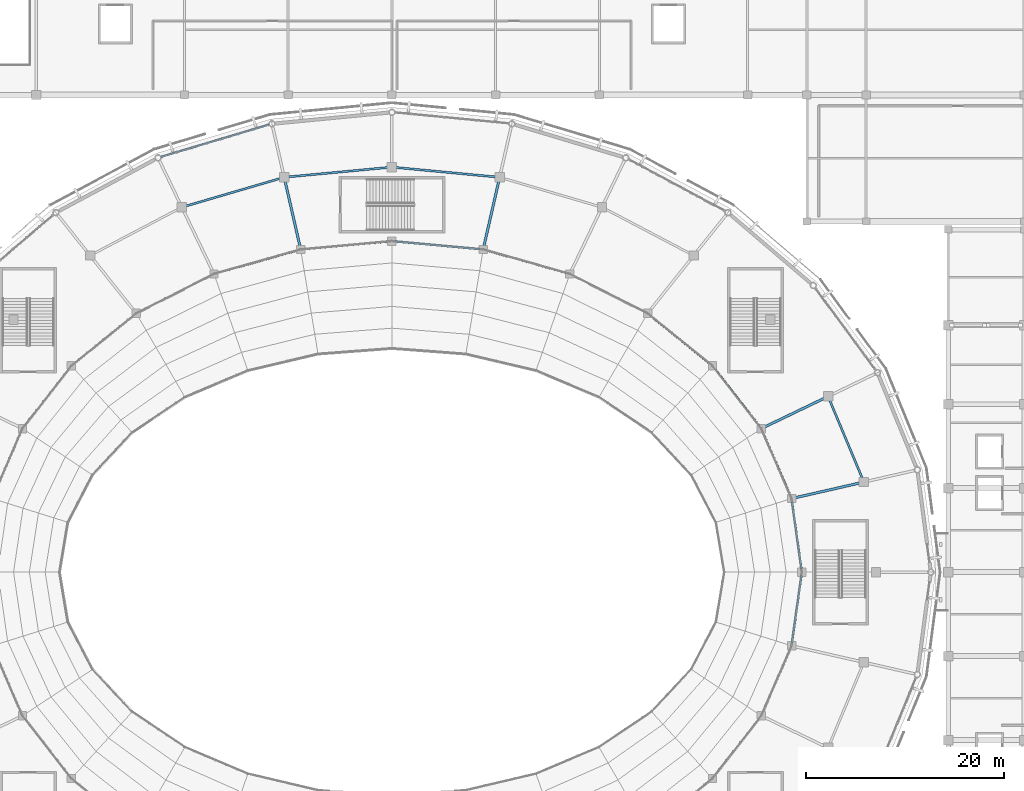
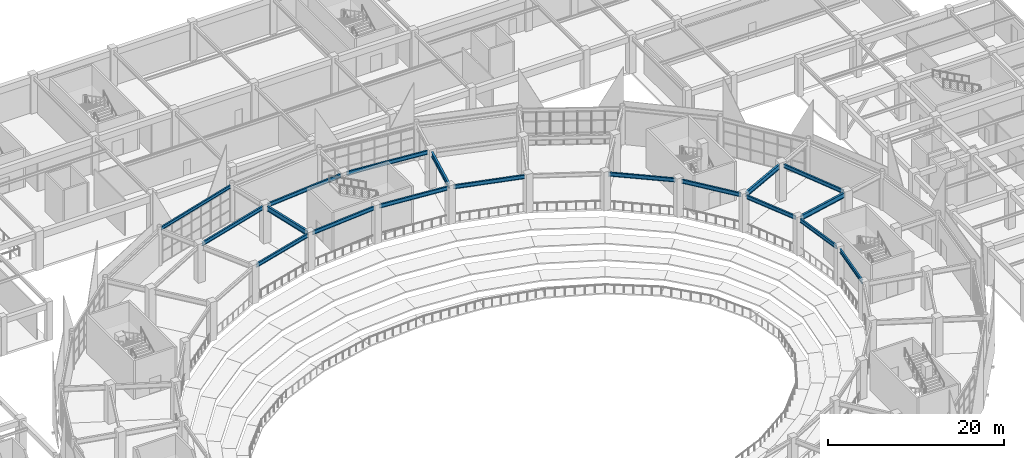
# One storey, part 40 of 120: 18 beams.
"""IFC4 building model written with IfcOpenShell, lengths in metres."""

from ifc_helpers import new_model, si_unit, direction, frame, origin, origin_2d, place, context, subcontext, project, spatial, i_section, extrude, material, material_profile, profile_set, type_object, element, save


model = new_model("IFC4")

# Units and contexts
model_context = context("Model", 3, precision=1e-05, world=origin(), true_north=direction((0.0, 1.0)))
body_context = subcontext(model_context, "Body", "Model", "MODEL_VIEW")
ifc_project = project(units=[si_unit("LENGTHUNIT", "METRE"), si_unit("AREAUNIT", "SQUARE_METRE"), si_unit("VOLUMEUNIT", "CUBIC_METRE"), si_unit("PLANEANGLEUNIT", "RADIAN"), si_unit("MASSUNIT", "GRAM", prefix="KILO")], contexts=[model_context])

# Site, building, storey
site_placement = place(None, origin())
site = spatial("IfcSite", under=ifc_project, at=site_placement, CompositionType="ELEMENT")
building_placement = place(site_placement, origin())
building = spatial("IfcBuilding", under=site, at=building_placement, Name="Cuetzalor Civic Arena", CompositionType="ELEMENT")
storey_placement = place(building_placement, frame((0.0, 0.0, 6.0)))
storey = spatial("IfcBuildingStorey", under=building, at=storey_placement, Name="L01", CompositionType="ELEMENT", Elevation=6.0)

# Beams
ifc_material_1 = material(Name="Steel S355", Category="steel")
ifc_material_profile_1 = material_profile(ifc_material_1, i_section(OverallWidth=0.18994140625, OverallDepth=0.45703125, WebThickness=0.009033203125, FlangeThickness=0.014404296875, at=origin_2d()), Name="W460x74")
ifc_profile_set_1 = profile_set([ifc_material_profile_1], Name="Steel S355")
beam_type_1 = type_object("IfcBeamType", Name="FacadeSpandrelBeam_W460", PredefinedType="SPANDREL", material=ifc_profile_set_1)
beam_1_placement = place(storey_placement, frame((-12.41650390625, 45.2998046875, 4.8916015625), z_axis=(-0.958199215373, -0.28610184141, 0.0), x_axis=(0.28610184141, -0.958199215373, 0.0)))
element("IfcBeam", 1, at=beam_1_placement, inside=storey, type_object=beam_type_1, Name="Drum Perimeter Spandrel L01-S09", PredefinedType="SPANDREL", context=body_context, shape_type="SweptSolid", body=[
    extrude(i_section(OverallWidth=0.18994140625, OverallDepth=0.45703125, WebThickness=0.009033203125, FlangeThickness=0.014404296875, at=origin_2d()), origin(), (0.0, 0.0, 1.0), 11.45263671875),
])
ifc_material_2 = material(Name="Steel S355", Category="steel")
ifc_material_profile_2 = material_profile(ifc_material_2, i_section(OverallWidth=0.208984375, OverallDepth=0.532958984375, WebThickness=0.01025390625, FlangeThickness=0.015625, at=origin_2d()), Name="W530x92")
ifc_profile_set_2 = profile_set([ifc_material_profile_2], Name="Steel S355")
beam_type_2 = type_object("IfcBeamType", Name="SteelCollarGirder_W530", PredefinedType="BEAM", material=ifc_profile_set_2)
beam_2_placement = place(storey_placement, frame((41.4501953125, 0.3564453125, 4.853515625), z_axis=(-0.138232032173, 0.990399871406, 0.0), x_axis=(-0.990399871406, -0.138232032173, 0.0)))
element("IfcBeam", 2, at=beam_2_placement, inside=storey, type_object=beam_type_2, Name="Bowl Inner Ring Girder L01-S01", PredefinedType="BEAM", context=body_context, shape_type="SweptSolid", body=[
    extrude(i_section(OverallWidth=0.208984375, OverallDepth=0.532958984375, WebThickness=0.01025390625, FlangeThickness=0.015625, at=origin_2d()), origin(), (0.0, 0.0, 1.0), 6.806884765625),
])
beam_3_placement = place(storey_placement, frame((47.628662109375, 9.46484375, 4.853515625), z_axis=(-0.385813116722, 0.922576955579, 0.0), x_axis=(-0.922576955579, -0.385813116722, 0.0)))
element("IfcBeam", 3, at=beam_3_placement, inside=storey, type_object=beam_type_2, Name="Drum Concourse Ring Girder L01-S02", PredefinedType="BEAM", context=body_context, shape_type="SweptSolid", body=[
    extrude(i_section(OverallWidth=0.208984375, OverallDepth=0.532958984375, WebThickness=0.01025390625, FlangeThickness=0.015625, at=origin_2d()), origin(), (0.0, 0.0, 1.0), 8.65283203125),
])
beam_4_placement = place(storey_placement, frame((40.31640625, 7.784912109375, 4.853515625), z_axis=(-0.39772689401, 0.917503851644, 0.0), x_axis=(-0.917503851644, -0.39772689401, 0.0)))
element("IfcBeam", 4, at=beam_4_placement, inside=storey, type_object=beam_type_2, Name="Bowl Inner Ring Girder L01-S02", PredefinedType="BEAM", context=body_context, shape_type="SweptSolid", body=[
    extrude(i_section(OverallWidth=0.208984375, OverallDepth=0.532958984375, WebThickness=0.01025390625, FlangeThickness=0.015625, at=origin_2d()), origin(), (0.0, 0.0, 1.0), 6.9970703125),
])
beam_5_placement = place(storey_placement, frame((37.169189453125, 14.819091796875, 4.853515625), z_axis=(-0.614261103096, 0.789102843249, 0.0), x_axis=(-0.789102843249, -0.614261103096, 0.0)))
element("IfcBeam", 5, at=beam_5_placement, inside=storey, type_object=beam_type_2, Name="Bowl Inner Ring Girder L01-S03", PredefinedType="BEAM", context=body_context, shape_type="SweptSolid", body=[
    extrude(i_section(OverallWidth=0.208984375, OverallDepth=0.532958984375, WebThickness=0.01025390625, FlangeThickness=0.015625, at=origin_2d()), origin(), (0.0, 0.0, 1.0), 7.329345703125),
])
beam_6_placement = place(storey_placement, frame((32.166015625, 21.113037109375, 4.853515625), z_axis=(-0.77812651983, 0.628107569719, 0.0), x_axis=(-0.628107569719, -0.77812651983, 0.0)))
element("IfcBeam", 6, at=beam_6_placement, inside=storey, type_object=beam_type_2, Name="Bowl Inner Ring Girder L01-S04", PredefinedType="BEAM", context=body_context, shape_type="SweptSolid", body=[
    extrude(i_section(OverallWidth=0.208984375, OverallDepth=0.532958984375, WebThickness=0.01025390625, FlangeThickness=0.015625, at=origin_2d()), origin(), (0.0, 0.0, 1.0), 7.725341796875),
])
beam_7_placement = place(storey_placement, frame((17.659912109375, 30.280517578125, 4.853515625), z_axis=(-0.962353567102, 0.271800684117, 0.0), x_axis=(-0.271800684117, -0.962353567102, 0.0)))
element("IfcBeam", 7, at=beam_7_placement, inside=storey, type_object=beam_type_2, Name="Bowl Inner Ring Girder L01-S06", PredefinedType="BEAM", context=body_context, shape_type="SweptSolid", body=[
    extrude(i_section(OverallWidth=0.208984375, OverallDepth=0.532958984375, WebThickness=0.01025390625, FlangeThickness=0.015625, at=origin_2d()), origin(), (0.0, 0.0, 1.0), 8.394775390625),
])
beam_8_placement = place(storey_placement, frame((10.53515625, 40.006591796875, 4.853515625), z_axis=(-0.995583045118, 0.093885037538, 0.0), x_axis=(-0.093885037538, -0.995583045118, 0.0)))
element("IfcBeam", 8, at=beam_8_placement, inside=storey, type_object=beam_type_2, Name="Drum Concourse Ring Girder L01-S07", PredefinedType="BEAM", context=body_context, shape_type="SweptSolid", body=[
    extrude(i_section(OverallWidth=0.208984375, OverallDepth=0.532958984375, WebThickness=0.01025390625, FlangeThickness=0.015625, at=origin_2d()), origin(), (0.0, 0.0, 1.0), 10.2119140625),
])
beam_9_placement = place(storey_placement, frame((8.876220703125, 32.692626953125, 4.853515625), z_axis=(-0.995889930215, 0.090571777597, 0.0), x_axis=(-0.090571777597, -0.995889930215, 0.0)))
element("IfcBeam", 9, at=beam_9_placement, inside=storey, type_object=beam_type_2, Name="Bowl Inner Ring Girder L01-S07", PredefinedType="BEAM", context=body_context, shape_type="SweptSolid", body=[
    extrude(i_section(OverallWidth=0.208984375, OverallDepth=0.532958984375, WebThickness=0.01025390625, FlangeThickness=0.015625, at=origin_2d()), origin(), (0.0, 0.0, 1.0), 8.552978515625),
])
beam_10_placement = place(storey_placement, frame((-0.368408203125, 40.96533203125, 4.853515625), z_axis=(-0.995583045118, -0.093885037538, 0.0), x_axis=(0.093885037538, -0.995583045118, 0.0)))
element("IfcBeam", 10, at=beam_10_placement, inside=storey, type_object=beam_type_2, Name="Drum Concourse Ring Girder L01-S08", PredefinedType="BEAM", context=body_context, shape_type="SweptSolid", body=[
    extrude(i_section(OverallWidth=0.208984375, OverallDepth=0.532958984375, WebThickness=0.01025390625, FlangeThickness=0.015625, at=origin_2d()), origin(), (0.0, 0.0, 1.0), 10.2119140625),
])
beam_11_placement = place(storey_placement, frame((-0.3583984375, 33.46728515625, 4.853515625), z_axis=(-0.995889930215, -0.090571777597, 0.0), x_axis=(0.090571777597, -0.995889930215, 0.0)))
element("IfcBeam", 11, at=beam_11_placement, inside=storey, type_object=beam_type_2, Name="Bowl Inner Ring Girder L01-S08", PredefinedType="BEAM", context=body_context, shape_type="SweptSolid", body=[
    extrude(i_section(OverallWidth=0.208984375, OverallDepth=0.532958984375, WebThickness=0.01025390625, FlangeThickness=0.015625, at=origin_2d()), origin(), (0.0, 0.0, 1.0), 8.552978515625),
])
beam_12_placement = place(storey_placement, frame((-11.258544921875, 39.867919921875, 4.853515625), z_axis=(-0.959716323112, -0.280970779889, 0.0), x_axis=(0.280970779889, -0.959716323112, 0.0)))
element("IfcBeam", 12, at=beam_12_placement, inside=storey, type_object=beam_type_2, Name="Drum Concourse Ring Girder L01-S09", PredefinedType="BEAM", context=body_context, shape_type="SweptSolid", body=[
    extrude(i_section(OverallWidth=0.208984375, OverallDepth=0.532958984375, WebThickness=0.01025390625, FlangeThickness=0.015625, at=origin_2d()), origin(), (0.0, 0.0, 1.0), 10.0517578125),
])
beam_13_placement = place(storey_placement, frame((-9.5810546875, 32.562255859375, 4.853515625), z_axis=(-0.962353567102, -0.271800684117, 0.0), x_axis=(0.271800684117, -0.962353567102, 0.0)))
element("IfcBeam", 13, at=beam_13_placement, inside=storey, type_object=beam_type_2, Name="Bowl Inner Ring Girder L01-S09", PredefinedType="BEAM", context=body_context, shape_type="SweptSolid", body=[
    extrude(i_section(OverallWidth=0.208984375, OverallDepth=0.532958984375, WebThickness=0.01025390625, FlangeThickness=0.015625, at=origin_2d()), origin(), (0.0, 0.0, 1.0), 8.394775390625),
])
beam_14_placement = place(storey_placement, frame((40.50927734375, -7.097900390625, 4.853515625), z_axis=(0.138232032173, 0.990399871406, 0.0), x_axis=(-0.990399871406, 0.138232032173, 0.0)))
element("IfcBeam", 14, at=beam_14_placement, inside=storey, type_object=beam_type_2, Name="Bowl Inner Ring Girder L01-S28", PredefinedType="BEAM", context=body_context, shape_type="SweptSolid", body=[
    extrude(i_section(OverallWidth=0.208984375, OverallDepth=0.532958984375, WebThickness=0.01025390625, FlangeThickness=0.015625, at=origin_2d()), origin(), (0.0, 0.0, 1.0), 6.806884765625),
])
ifc_material_3 = material(Name="Steel S355", Category="steel")
ifc_material_profile_3 = material_profile(ifc_material_3, i_section(OverallWidth=0.2529296875, OverallDepth=0.677978515625, WebThickness=0.01171875, FlangeThickness=0.016357421875, at=origin_2d()), Name="W690x125")
ifc_profile_set_3 = profile_set([ifc_material_profile_3], Name="Steel S355")
beam_type_3 = type_object("IfcBeamType", Name="SteelPrimaryGirder_W690", PredefinedType="BEAM", material=ifc_profile_set_3)
beam_15_placement = place(storey_placement, frame((40.810546875, 7.53466796875, 4.781005859375), z_axis=(0.974931535482, 0.222505058645, 0.0), x_axis=(-0.222505058645, 0.974931535482, 0.0)))
element("IfcBeam", 15, at=beam_15_placement, inside=storey, type_object=beam_type_3, Name="Drum Inner Radial Girder L01-R02", PredefinedType="BEAM", context=body_context, shape_type="SweptSolid", body=[
    extrude(i_section(OverallWidth=0.2529296875, OverallDepth=0.677978515625, WebThickness=0.01171875, FlangeThickness=0.016357421875, at=origin_2d()), origin(), (0.0, 0.0, 1.0), 6.77978515625),
])
for number, where, z_axis, x_axis, name in (
    (16, (37.714599609375, 14.69140625, 4.781005859375), (0.900975603874, 0.433869751452, 0.0), (-0.433869751452, 0.900975603874, 0.0), "Drum Inner Radial Girder L01-R03"),
    (17, (9.314697265625, 33.010986328125, 4.781005859375), (0.222531472988, 0.974925506657, 0.0), (-0.974925506657, 0.222531472988, 0.0), "Drum Inner Radial Girder L01-R07"),
    (18, (-9.314697265625, 33.010986328125, 4.781005859375), (-0.222531472988, 0.974925506657, 0.0), (-0.974925506657, -0.222531472988, 0.0), "Drum Inner Radial Girder L01-R09"),
):
    element("IfcBeam", number, at=place(storey_placement, frame(where, z_axis=z_axis, x_axis=x_axis)), inside=storey, type_object=beam_type_3, Name=name, PredefinedType="BEAM", context=body_context, shape_type="SweptSolid", body=[
        extrude(i_section(OverallWidth=0.2529296875, OverallDepth=0.677978515625, WebThickness=0.01171875, FlangeThickness=0.016357421875, at=origin_2d()), origin(), (0.0, 0.0, 1.0), 6.780029296875),
    ])

save(model, "model.ifc")
